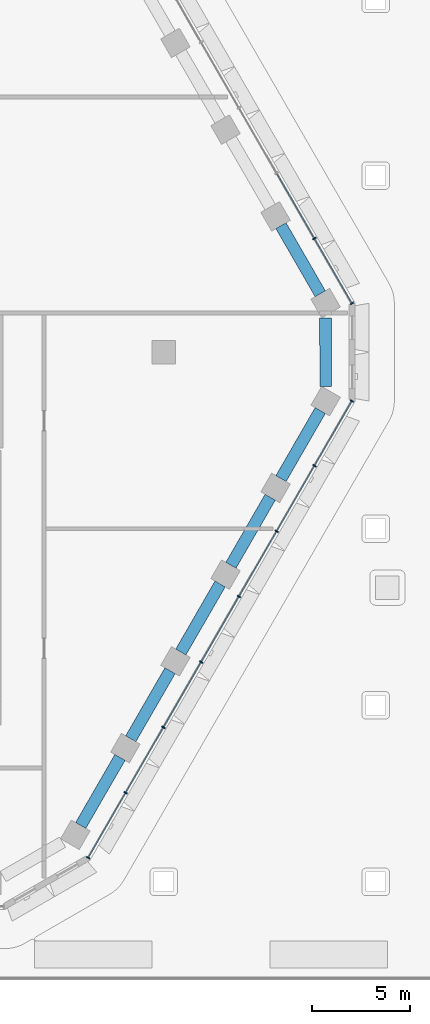
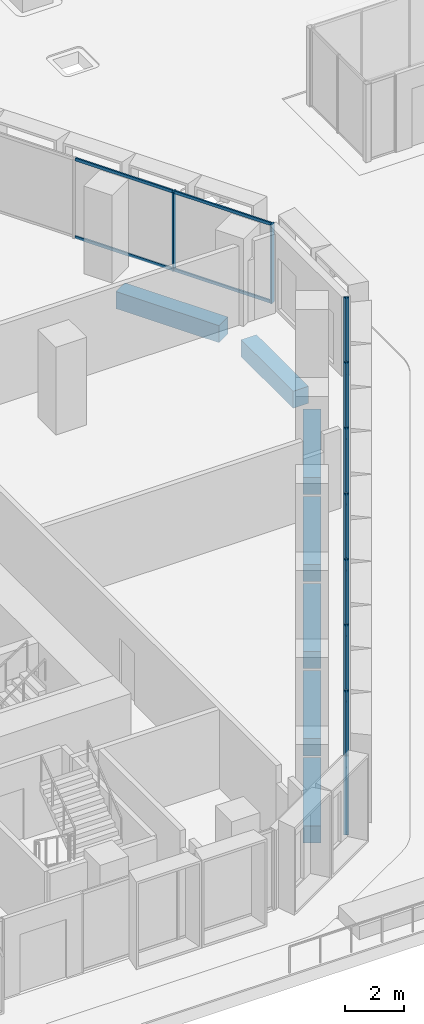
# One storey, part 11 of 38: 28 members, 7 beams, 2 elements without a shape of their own.
"""IFC4 building model written with IfcOpenShell, lengths in metres."""

from ifc_helpers import new_model, si_unit, direction, frame, origin, origin_2d, place, context, subcontext, project, spatial, rectangle, hollow_rectangle, extrude, material, material_profile, profile_set, type_object, element, aggregate, save


model = new_model("IFC4")

# Units and contexts
model_context = context("Model", 3, precision=1e-05, world=origin(), true_north=direction((0.0, 1.0)))
body_context = subcontext(model_context, "Body", "Model", "MODEL_VIEW")
ifc_project = project(units=[si_unit("LENGTHUNIT", "METRE"), si_unit("AREAUNIT", "SQUARE_METRE"), si_unit("VOLUMEUNIT", "CUBIC_METRE"), si_unit("PLANEANGLEUNIT", "RADIAN"), si_unit("MASSUNIT", "GRAM", prefix="KILO")], contexts=[model_context])

# Site, building, storey
site_placement = place(None, origin())
site = spatial("IfcSite", under=ifc_project, at=site_placement, CompositionType="ELEMENT")
building_placement = place(site_placement, origin())
building = spatial("IfcBuilding", under=site, at=building_placement, Name="Beryl Residences", CompositionType="ELEMENT")
storey_placement = place(building_placement, frame((0.0, 0.0, 9.0)))
storey = spatial("IfcBuildingStorey", under=building, at=storey_placement, Name="L02", CompositionType="ELEMENT", Elevation=9.0)

# Curtain wall, members
ifc_material_1 = material(Name="Aluminium and clear glass", Category="aluminium")
curtain_wall_type = type_object("IfcCurtainWallType", Name="CW2 amenity glazing glazed wall", PredefinedType="NOTDEFINED", material=ifc_material_1)
curtain_wall_1_placement = place(storey_placement, origin())
curtain_wall_1 = element("IfcCurtainWall", 1, at=curtain_wall_1_placement, inside=storey, type_object=curtain_wall_type, Name="CW2 L02 SE", PredefinedType="NOTDEFINED")
ifc_material_2 = material(Name="Aluminium", Category="aluminium")
ifc_material_profile_1 = material_profile(ifc_material_2, rectangle(XDim=0.06005859375, YDim=0.179931640625, at=origin_2d()))
ifc_profile_set_1 = profile_set([ifc_material_profile_1], Name="Aluminium")
member_type_1 = type_object("IfcMemberType", Name="CW2-M mullion 60 x 180 mm", PredefinedType="MULLION", material=ifc_profile_set_1)
member_1_placement = place(storey_placement, frame((17.7451171875, -25.763916015625, 0.0), z_axis=(0.0, 0.0, 1.0), x_axis=(0.500011643322, 0.866018681405, 0.0)))
member_1 = element("IfcMember", 2, at=member_1_placement, type_object=member_type_1, Name="CW2 mullion 1", PredefinedType="MULLION", context=body_context, shape_type="SweptSolid", body=[
    extrude(rectangle(XDim=0.06005859375, YDim=0.179931640625, at=origin_2d()), origin(), (0.0, 0.0, 1.0), 3.25),
])
member_2_placement = place(storey_placement, frame((19.654296875, -22.45703125, 0.0), z_axis=(0.0, 0.0, 1.0), x_axis=(0.500011643322, 0.866018681405, 0.0)))
member_2 = element("IfcMember", 3, at=member_2_placement, type_object=member_type_1, Name="CW2 mullion 2", PredefinedType="MULLION", context=body_context, shape_type="SweptSolid", body=[
    extrude(rectangle(XDim=0.06005859375, YDim=0.179931640625, at=origin_2d()), origin(), (0.0, 0.0, 1.0), 3.25),
])
member_3_placement = place(storey_placement, frame((21.57861328125, -19.124267578125, 0.0), z_axis=(0.0, 0.0, 1.0), x_axis=(0.500011643322, 0.866018681405, 0.0)))
member_3 = element("IfcMember", 4, at=member_3_placement, type_object=member_type_1, Name="CW2 mullion 3", PredefinedType="MULLION", context=body_context, shape_type="SweptSolid", body=[
    extrude(rectangle(XDim=0.06005859375, YDim=0.179931640625, at=origin_2d()), origin(), (0.0, 0.0, 1.0), 3.25),
])
member_4_placement = place(storey_placement, frame((23.5029296875, -15.79150390625, 0.0), z_axis=(0.0, 0.0, 1.0), x_axis=(0.500011643322, 0.866018681405, 0.0)))
member_4 = element("IfcMember", 5, at=member_4_placement, type_object=member_type_1, Name="CW2 mullion 4", PredefinedType="MULLION", context=body_context, shape_type="SweptSolid", body=[
    extrude(rectangle(XDim=0.06005859375, YDim=0.179931640625, at=origin_2d()), origin(), (0.0, 0.0, 1.0), 3.25),
])
member_5_placement = place(storey_placement, frame((25.42724609375, -12.45849609375, 0.0), z_axis=(0.0, 0.0, 1.0), x_axis=(0.500011643322, 0.866018681405, 0.0)))
member_5 = element("IfcMember", 6, at=member_5_placement, type_object=member_type_1, Name="CW2 mullion 5", PredefinedType="MULLION", context=body_context, shape_type="SweptSolid", body=[
    extrude(rectangle(XDim=0.06005859375, YDim=0.179931640625, at=origin_2d()), origin(), (0.0, 0.0, 1.0), 3.25),
])
member_6_placement = place(storey_placement, frame((27.351318359375, -9.125732421875, 0.0), z_axis=(0.0, 0.0, 1.0), x_axis=(0.500011643322, 0.866018681405, 0.0)))
member_6 = element("IfcMember", 7, at=member_6_placement, type_object=member_type_1, Name="CW2 mullion 6", PredefinedType="MULLION", context=body_context, shape_type="SweptSolid", body=[
    extrude(rectangle(XDim=0.06005859375, YDim=0.179931640625, at=origin_2d()), origin(), (0.0, 0.0, 1.0), 3.25),
])
member_7_placement = place(storey_placement, frame((29.275634765625, -5.79296875, 0.0), z_axis=(0.0, 0.0, 1.0), x_axis=(0.500011643322, 0.866018681405, 0.0)))
member_7 = element("IfcMember", 8, at=member_7_placement, type_object=member_type_1, Name="CW2 mullion 7", PredefinedType="MULLION", context=body_context, shape_type="SweptSolid", body=[
    extrude(rectangle(XDim=0.06005859375, YDim=0.179931640625, at=origin_2d()), origin(), (0.0, 0.0, 1.0), 3.25),
])
member_8_placement = place(storey_placement, frame((31.18505859375, -2.486083984375, 0.0), z_axis=(0.0, 0.0, 1.0), x_axis=(0.500011643322, 0.866018681405, 0.0)))
member_8 = element("IfcMember", 9, at=member_8_placement, type_object=member_type_1, Name="CW2 mullion 8", PredefinedType="MULLION", context=body_context, shape_type="SweptSolid", body=[
    extrude(rectangle(XDim=0.06005859375, YDim=0.179931640625, at=origin_2d()), origin(), (0.0, 0.0, 1.0), 3.25),
])

curtain_wall_2_placement = place(storey_placement, origin())
curtain_wall_2 = element("IfcCurtainWall", 10, at=curtain_wall_2_placement, inside=storey, type_object=curtain_wall_type, Name="CW2 L02 NE", PredefinedType="NOTDEFINED")
member_9_placement = place(storey_placement, frame((31.18505859375, 2.486083984375, 0.0), z_axis=(0.0, 0.0, 1.0), x_axis=(-0.500011643322, 0.866018681405, 0.0)))
member_9 = element("IfcMember", 11, at=member_9_placement, type_object=member_type_1, Name="CW2 mullion 1", PredefinedType="MULLION", context=body_context, shape_type="SweptSolid", body=[
    extrude(rectangle(XDim=0.06005859375, YDim=0.179931640625, at=origin_2d()), origin(), (0.0, 0.0, 1.0), 3.25),
])
member_10_placement = place(storey_placement, frame((29.275634765625, 5.79296875, 0.0), z_axis=(0.0, 0.0, 1.0), x_axis=(-0.500011643322, 0.866018681405, 0.0)))
member_10 = element("IfcMember", 12, at=member_10_placement, type_object=member_type_1, Name="CW2 mullion 2", PredefinedType="MULLION", context=body_context, shape_type="SweptSolid", body=[
    extrude(rectangle(XDim=0.06005859375, YDim=0.179931640625, at=origin_2d()), origin(), (0.0, 0.0, 1.0), 3.25),
])

# Member
ifc_material_3 = material(Name="Aluminium", Category="aluminium")
ifc_material_profile_2 = material_profile(ifc_material_3, hollow_rectangle(XDim=0.06005859375, YDim=0.1201171875, WallThickness=0.00390625, at=origin_2d()))
ifc_profile_set_2 = profile_set([ifc_material_profile_2], Name="Aluminium")
member_type_2 = type_object("IfcMemberType", Name="CW2-T transom 60 x 120 mm", PredefinedType="USERDEFINED", material=ifc_profile_set_2)
member_11_placement = place(storey_placement, frame((17.760009765625, -25.738037109375, 0.030029296875), z_axis=(0.500037327496, 0.866003851672, 0.0), x_axis=(-0.866003851672, 0.500037327496, 0.0)))
member_11 = element("IfcMember", 13, at=member_11_placement, type_object=member_type_2, Name="CW2 transom 1.1", ObjectType="TRANSOM", PredefinedType="USERDEFINED", context=body_context, shape_type="SweptSolid", body=[
    extrude(hollow_rectangle(XDim=0.06005859375, YDim=0.1201171875, WallThickness=0.00390625, at=origin_2d()), origin(), (0.0, 0.0, 1.0), 3.758544921875),
])

member_12_placement = place(storey_placement, frame((17.760009765625, -25.738037109375, 3.219970703125), z_axis=(0.500037327496, 0.866003851672, 0.0), x_axis=(-0.866003851672, 0.500037327496, 0.0)))
member_12 = element("IfcMember", 14, at=member_12_placement, type_object=member_type_2, Name="CW2 transom 1.2", ObjectType="TRANSOM", PredefinedType="USERDEFINED", context=body_context, shape_type="SweptSolid", body=[
    extrude(hollow_rectangle(XDim=0.06005859375, YDim=0.1201171875, WallThickness=0.00390625, at=origin_2d()), origin(), (0.0, 0.0, 1.0), 3.758544921875),
])

member_13_placement = place(storey_placement, frame((19.669189453125, -22.43115234375, 0.030029296875), z_axis=(0.499999503755, 0.866025690291, 0.0), x_axis=(-0.866025690291, 0.499999503755, 0.0)))
member_13 = element("IfcMember", 15, at=member_13_placement, type_object=member_type_2, Name="CW2 transom 2.1", ObjectType="TRANSOM", PredefinedType="USERDEFINED", context=body_context, shape_type="SweptSolid", body=[
    extrude(hollow_rectangle(XDim=0.06005859375, YDim=0.1201171875, WallThickness=0.00390625, at=origin_2d()), origin(), (0.0, 0.0, 1.0), 3.78857421875),
])

member_14_placement = place(storey_placement, frame((19.669189453125, -22.43115234375, 3.219970703125), z_axis=(0.499999503755, 0.866025690291, 0.0), x_axis=(-0.866025690291, 0.499999503755, 0.0)))
member_14 = element("IfcMember", 16, at=member_14_placement, type_object=member_type_2, Name="CW2 transom 2.2", ObjectType="TRANSOM", PredefinedType="USERDEFINED", context=body_context, shape_type="SweptSolid", body=[
    extrude(hollow_rectangle(XDim=0.06005859375, YDim=0.1201171875, WallThickness=0.00390625, at=origin_2d()), origin(), (0.0, 0.0, 1.0), 3.78857421875),
])

member_15_placement = place(storey_placement, frame((21.593505859375, -19.098388671875, 0.030029296875), z_axis=(0.499999503755, 0.866025690291, 0.0), x_axis=(-0.866025690291, 0.499999503755, 0.0)))
member_15 = element("IfcMember", 17, at=member_15_placement, type_object=member_type_2, Name="CW2 transom 3.1", ObjectType="TRANSOM", PredefinedType="USERDEFINED", context=body_context, shape_type="SweptSolid", body=[
    extrude(hollow_rectangle(XDim=0.06005859375, YDim=0.1201171875, WallThickness=0.00390625, at=origin_2d()), origin(), (0.0, 0.0, 1.0), 3.78857421875),
])

member_16_placement = place(storey_placement, frame((21.593505859375, -19.098388671875, 3.219970703125), z_axis=(0.499999503755, 0.866025690291, 0.0), x_axis=(-0.866025690291, 0.499999503755, 0.0)))
member_16 = element("IfcMember", 18, at=member_16_placement, type_object=member_type_2, Name="CW2 transom 3.2", ObjectType="TRANSOM", PredefinedType="USERDEFINED", context=body_context, shape_type="SweptSolid", body=[
    extrude(hollow_rectangle(XDim=0.06005859375, YDim=0.1201171875, WallThickness=0.00390625, at=origin_2d()), origin(), (0.0, 0.0, 1.0), 3.78857421875),
])

member_17_placement = place(storey_placement, frame((23.517822265625, -15.765380859375, 0.030029296875), z_axis=(0.500027408906, 0.866009578667, 0.0), x_axis=(-0.866009578667, 0.500027408906, 0.0)))
member_17 = element("IfcMember", 19, at=member_17_placement, type_object=member_type_2, Name="CW2 transom 4.1", ObjectType="TRANSOM", PredefinedType="USERDEFINED", context=body_context, shape_type="SweptSolid", body=[
    extrude(hollow_rectangle(XDim=0.06005859375, YDim=0.1201171875, WallThickness=0.00390625, at=origin_2d()), origin(), (0.0, 0.0, 1.0), 3.788330078125),
])

member_18_placement = place(storey_placement, frame((23.517822265625, -15.765380859375, 3.219970703125), z_axis=(0.500027408906, 0.866009578667, 0.0), x_axis=(-0.866009578667, 0.500027408906, 0.0)))
member_18 = element("IfcMember", 20, at=member_18_placement, type_object=member_type_2, Name="CW2 transom 4.2", ObjectType="TRANSOM", PredefinedType="USERDEFINED", context=body_context, shape_type="SweptSolid", body=[
    extrude(hollow_rectangle(XDim=0.06005859375, YDim=0.1201171875, WallThickness=0.00390625, at=origin_2d()), origin(), (0.0, 0.0, 1.0), 3.788330078125),
])

member_19_placement = place(storey_placement, frame((25.442138671875, -12.4326171875, 0.030029296875), z_axis=(0.499999503755, 0.866025690291, 0.0), x_axis=(-0.866025690291, 0.499999503755, 0.0)))
member_19 = element("IfcMember", 21, at=member_19_placement, type_object=member_type_2, Name="CW2 transom 5.1", ObjectType="TRANSOM", PredefinedType="USERDEFINED", context=body_context, shape_type="SweptSolid", body=[
    extrude(hollow_rectangle(XDim=0.06005859375, YDim=0.1201171875, WallThickness=0.00390625, at=origin_2d()), origin(), (0.0, 0.0, 1.0), 3.78857421875),
])

member_20_placement = place(storey_placement, frame((25.442138671875, -12.4326171875, 3.219970703125), z_axis=(0.499999503755, 0.866025690291, 0.0), x_axis=(-0.866025690291, 0.499999503755, 0.0)))
member_20 = element("IfcMember", 22, at=member_20_placement, type_object=member_type_2, Name="CW2 transom 5.2", ObjectType="TRANSOM", PredefinedType="USERDEFINED", context=body_context, shape_type="SweptSolid", body=[
    extrude(hollow_rectangle(XDim=0.06005859375, YDim=0.1201171875, WallThickness=0.00390625, at=origin_2d()), origin(), (0.0, 0.0, 1.0), 3.78857421875),
])

member_21_placement = place(storey_placement, frame((27.366455078125, -9.099853515625, 0.030029296875), z_axis=(0.499999503755, 0.866025690291, 0.0), x_axis=(-0.866025690291, 0.499999503755, 0.0)))
member_21 = element("IfcMember", 23, at=member_21_placement, type_object=member_type_2, Name="CW2 transom 6.1", ObjectType="TRANSOM", PredefinedType="USERDEFINED", context=body_context, shape_type="SweptSolid", body=[
    extrude(hollow_rectangle(XDim=0.06005859375, YDim=0.1201171875, WallThickness=0.00390625, at=origin_2d()), origin(), (0.0, 0.0, 1.0), 3.78857421875),
])

member_22_placement = place(storey_placement, frame((27.366455078125, -9.099853515625, 3.219970703125), z_axis=(0.499999503755, 0.866025690291, 0.0), x_axis=(-0.866025690291, 0.499999503755, 0.0)))
member_22 = element("IfcMember", 24, at=member_22_placement, type_object=member_type_2, Name="CW2 transom 6.2", ObjectType="TRANSOM", PredefinedType="USERDEFINED", context=body_context, shape_type="SweptSolid", body=[
    extrude(hollow_rectangle(XDim=0.06005859375, YDim=0.1201171875, WallThickness=0.00390625, at=origin_2d()), origin(), (0.0, 0.0, 1.0), 3.78857421875),
])

member_23_placement = place(storey_placement, frame((29.290771484375, -5.766845703125, 0.030029296875), z_axis=(0.499988609959, 0.866031979728, 0.0), x_axis=(-0.866031979728, 0.499988609959, 0.0)))
member_23 = element("IfcMember", 25, at=member_23_placement, type_object=member_type_2, Name="CW2 transom 7.1", ObjectType="TRANSOM", PredefinedType="USERDEFINED", context=body_context, shape_type="SweptSolid", body=[
    extrude(hollow_rectangle(XDim=0.06005859375, YDim=0.1201171875, WallThickness=0.00390625, at=origin_2d()), origin(), (0.0, 0.0, 1.0), 3.75830078125),
])

member_24_placement = place(storey_placement, frame((29.290771484375, -5.766845703125, 3.219970703125), z_axis=(0.499988609959, 0.866031979728, 0.0), x_axis=(-0.866031979728, 0.499988609959, 0.0)))
member_24 = element("IfcMember", 26, at=member_24_placement, type_object=member_type_2, Name="CW2 transom 7.2", ObjectType="TRANSOM", PredefinedType="USERDEFINED", context=body_context, shape_type="SweptSolid", body=[
    extrude(hollow_rectangle(XDim=0.06005859375, YDim=0.1201171875, WallThickness=0.00390625, at=origin_2d()), origin(), (0.0, 0.0, 1.0), 3.75830078125),
])

aggregate(curtain_wall_1, [member_1, member_2, member_3, member_4, member_5, member_6, member_7, member_8, member_11, member_12, member_13, member_14, member_15, member_16, member_17, member_18, member_19, member_20, member_21, member_22, member_23, member_24])

member_25_placement = place(storey_placement, frame((31.169921875, 2.511962890625, 0.030029296875), z_axis=(-0.499988609959, 0.866031979728, 0.0), x_axis=(-0.866031979728, -0.499988609959, 0.0)))
member_25 = element("IfcMember", 27, at=member_25_placement, type_object=member_type_2, Name="CW2 transom 1.1", ObjectType="TRANSOM", PredefinedType="USERDEFINED", context=body_context, shape_type="SweptSolid", body=[
    extrude(hollow_rectangle(XDim=0.06005859375, YDim=0.1201171875, WallThickness=0.00390625, at=origin_2d()), origin(), (0.0, 0.0, 1.0), 3.75830078125),
])

member_26_placement = place(storey_placement, frame((31.169921875, 2.511962890625, 3.219970703125), z_axis=(-0.499988609959, 0.866031979728, 0.0), x_axis=(-0.866031979728, -0.499988609959, 0.0)))
member_26 = element("IfcMember", 28, at=member_26_placement, type_object=member_type_2, Name="CW2 transom 1.2", ObjectType="TRANSOM", PredefinedType="USERDEFINED", context=body_context, shape_type="SweptSolid", body=[
    extrude(hollow_rectangle(XDim=0.06005859375, YDim=0.1201171875, WallThickness=0.00390625, at=origin_2d()), origin(), (0.0, 0.0, 1.0), 3.75830078125),
])

member_27_placement = place(storey_placement, frame((29.2607421875, 5.81884765625, 0.030029296875), z_axis=(-0.499999503755, 0.866025690291, 0.0), x_axis=(-0.866025690291, -0.499999503755, 0.0)))
member_27 = element("IfcMember", 29, at=member_27_placement, type_object=member_type_2, Name="CW2 transom 2.1", ObjectType="TRANSOM", PredefinedType="USERDEFINED", context=body_context, shape_type="SweptSolid", body=[
    extrude(hollow_rectangle(XDim=0.06005859375, YDim=0.1201171875, WallThickness=0.00390625, at=origin_2d()), origin(), (0.0, 0.0, 1.0), 3.78857421875),
])

member_28_placement = place(storey_placement, frame((29.2607421875, 5.81884765625, 3.219970703125), z_axis=(-0.499999503755, 0.866025690291, 0.0), x_axis=(-0.866025690291, -0.499999503755, 0.0)))
member_28 = element("IfcMember", 30, at=member_28_placement, type_object=member_type_2, Name="CW2 transom 2.2", ObjectType="TRANSOM", PredefinedType="USERDEFINED", context=body_context, shape_type="SweptSolid", body=[
    extrude(hollow_rectangle(XDim=0.06005859375, YDim=0.1201171875, WallThickness=0.00390625, at=origin_2d()), origin(), (0.0, 0.0, 1.0), 3.78857421875),
])

aggregate(curtain_wall_2, [member_9, member_10, member_25, member_26, member_27, member_28])

# Beams
ifc_material_4 = material(Name="Concrete C80/95", Category="concrete")
ifc_material_profile_3 = material_profile(ifc_material_4, rectangle(XDim=0.60009765625, YDim=0.699951171875, at=origin_2d()))
ifc_profile_set_3 = profile_set([ifc_material_profile_3], Name="Concrete C80/95")
beam_type = type_object("IfcBeamType", Name="SB1 spandrel beam 600 x 700 C80/95", PredefinedType="SPANDREL", material=ifc_profile_set_3)
beam_1_placement = place(storey_placement, frame((17.364990234375, -24.1240234375, -0.85009765625), z_axis=(0.499942357345, 0.866058681229, 0.0), x_axis=(-0.866058681229, 0.499942357345, 0.0)))
element("IfcBeam", 31, at=beam_1_placement, inside=storey, type_object=beam_type, Name="SB1 L02 SE-0", PredefinedType="SPANDREL", context=body_context, shape_type="SweptSolid", body=[
    extrude(rectangle(XDim=0.60009765625, YDim=0.699951171875, at=origin_2d()), origin(), (0.0, 0.0, 1.0), 4.00439453125),
])
beam_2_placement = place(storey_placement, frame((19.9169921875, -19.7041015625, -0.85009765625), z_axis=(0.499836783367, 0.866119616446, 0.0), x_axis=(-0.866119616446, 0.499836783367, 0.0)))
element("IfcBeam", 32, at=beam_2_placement, inside=storey, type_object=beam_type, Name="SB1 L02 SE-1", PredefinedType="SPANDREL", context=body_context, shape_type="SweptSolid", body=[
    extrude(rectangle(XDim=0.60009765625, YDim=0.699951171875, at=origin_2d()), origin(), (0.0, 0.0, 1.0), 4.005126953125),
])
for number, where, z_axis, x_axis, name in (
    (33, (22.468994140625, -15.282958984375, -0.85009765625), (0.499942357345, 0.866058681229, 0.0), (-0.866058681229, 0.499942357345, 0.0), "SB1 L02 SE-2"),
    (34, (25.02099609375, -10.863037109375, -0.85009765625), (0.499942357345, 0.866058681229, 0.0), (-0.866058681229, 0.499942357345, 0.0), "SB1 L02 SE-3"),
):
    element("IfcBeam", number, at=place(storey_placement, frame(where, z_axis=z_axis, x_axis=x_axis)), inside=storey, type_object=beam_type, Name=name, PredefinedType="SPANDREL", context=body_context, shape_type="SweptSolid", body=[
        extrude(rectangle(XDim=0.60009765625, YDim=0.699951171875, at=origin_2d()), origin(), (0.0, 0.0, 1.0), 4.00439453125),
    ])
beam_3_placement = place(storey_placement, frame((27.572998046875, -6.443115234375, -0.85009765625), z_axis=(0.499759404093, 0.866164267342, 0.0), x_axis=(-0.866164267342, 0.499759404093, 0.0)))
element("IfcBeam", 35, at=beam_3_placement, inside=storey, type_object=beam_type, Name="SB1 L02 SE-4", PredefinedType="SPANDREL", context=body_context, shape_type="SweptSolid", body=[
    extrude(rectangle(XDim=0.60009765625, YDim=0.699951171875, at=origin_2d()), origin(), (0.0, 0.0, 1.0), 4.00390625),
])
beam_4_placement = place(storey_placement, frame((29.84912109375, -1.748046875, -0.85009765625), z_axis=(-0.000349064486, 0.999999939077, 0.0), x_axis=(-0.999999939077, -0.000349064486, 0.0)))
element("IfcBeam", 36, at=beam_4_placement, inside=storey, type_object=beam_type, Name="SB1 L02 SE-5", PredefinedType="SPANDREL", context=body_context, shape_type="SweptSolid", body=[
    extrude(rectangle(XDim=0.60009765625, YDim=0.699951171875, at=origin_2d()), origin(), (0.0, 0.0, 1.0), 3.4970703125),
])
beam_5_placement = place(storey_placement, frame((29.572998046875, 2.97607421875, -0.85009765625), z_axis=(-0.499653843024, 0.866225165388, 0.0), x_axis=(-0.866225165388, -0.499653843024, 0.0)))
element("IfcBeam", 37, at=beam_5_placement, inside=storey, type_object=beam_type, Name="SB1 L02 NE-0", PredefinedType="SPANDREL", context=body_context, shape_type="SweptSolid", body=[
    extrude(rectangle(XDim=0.60009765625, YDim=0.699951171875, at=origin_2d()), origin(), (0.0, 0.0, 1.0), 4.004638671875),
])

save(model, "model.ifc")
